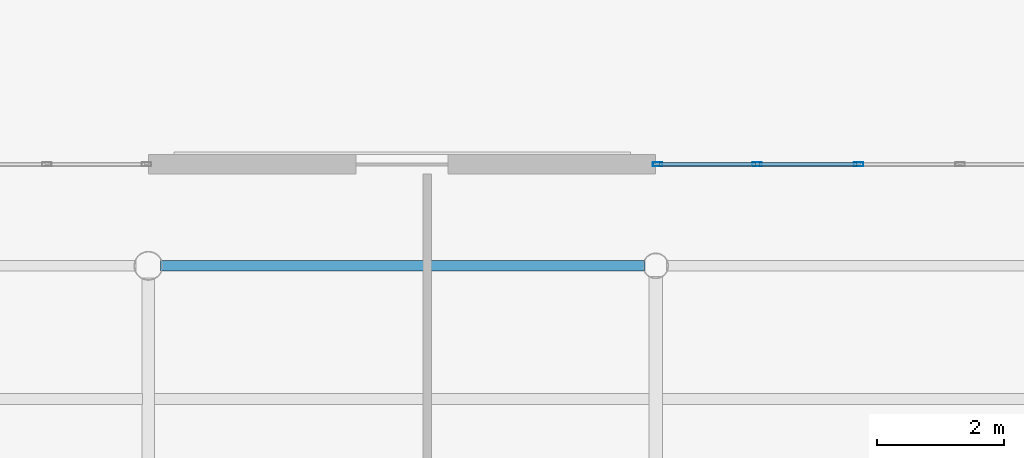
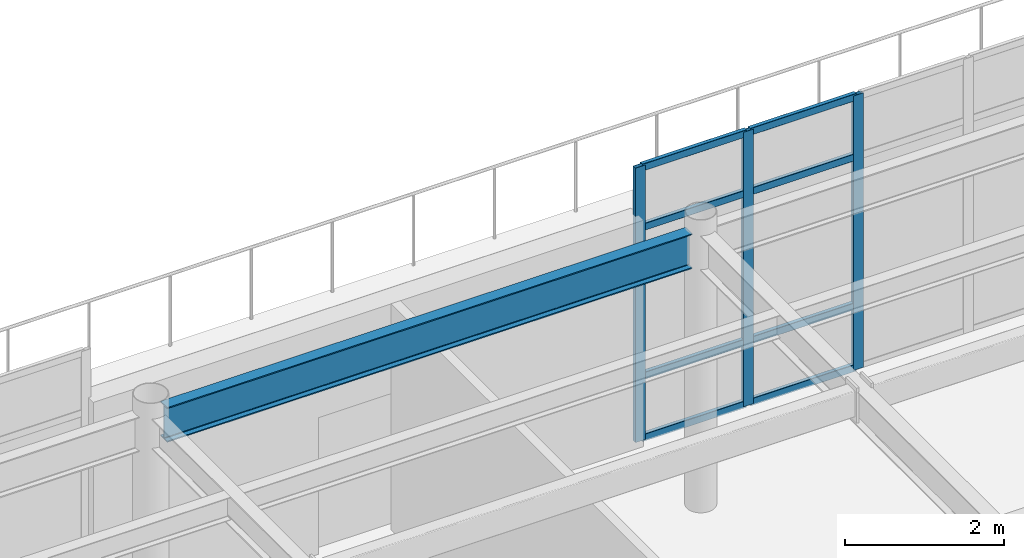
# One storey, part 27 of 93: 11 members, 1 beam, 1 element without a shape of its own.
"""IFC4 building model written with IfcOpenShell, lengths in metres."""

import ifcopenshell
import ifcopenshell.guid

model = None  # the IFC model being written
_history = None  # IfcOwnerHistory: only IFC2X3 demands one
_inside = {}  # id of a spatial element -> (the spatial element, [elements in it])
_under = {}  # id of a project, library or spatial element -> (it, [spatial elements below it])
_declared = {}  # id of a project -> (the project, [libraries it declares])
_typed = {}  # id of a type object -> (the type object, [elements of that type])
_made_of = {}  # id of a material, layer set ... -> (it, [elements and type objects made of it])


def new_model(schema):
    """Start an empty IFC model of exactly this schema.

    Asked for "IFC4X3", IfcOpenShell would pick the latest addendum, in which some entities
    have other attributes; the version numbers below select the first issue.
    IFC2X3 requires an IfcOwnerHistory on every rooted entity: one is made here for all.
    """
    global model, _history
    if schema == "IFC4X3":
        model = ifcopenshell.file(schema_version=(4, 3, 0, 0))
    else:
        model = ifcopenshell.file(schema=schema)
    _inside.clear()
    _under.clear()
    _declared.clear()
    _typed.clear()
    _made_of.clear()
    _history = None
    if model.schema == "IFC2X3":
        org = make("IfcOrganization", Name="unknown")
        user = make(
            "IfcPersonAndOrganization",
            ThePerson=make("IfcPerson", FamilyName="unknown"),
            TheOrganization=org,
        )
        app = make(
            "IfcApplication",
            ApplicationDeveloper=org,
            Version="unknown",
            ApplicationFullName="unknown",
            ApplicationIdentifier="unknown",
        )
        _history = make(
            "IfcOwnerHistory",
            OwningUser=user,
            OwningApplication=app,
            ChangeAction="ADDED",
            CreationDate=0,
        )
    return model


def make(cls, **values):
    """One entity of the class cls with the attributes given. An attribute that is None is left unset."""
    return model.create_entity(
        cls, **{name: value for name, value in values.items() if value is not None}
    )


def rooted(cls, **values):
    """An entity with a GlobalId (a new one), such as an element, a storey or a relation."""
    return make(cls, GlobalId=ifcopenshell.guid.new(), OwnerHistory=_history, **values)


def si_unit(unit_type, name, prefix=None):
    """IfcSIUnit, for example si_unit("LENGTHUNIT", "METRE", prefix="MILLI")."""
    return make("IfcSIUnit", UnitType=unit_type, Prefix=prefix, Name=name)


def assignment(units):
    """IfcUnitAssignment: the units of a project."""
    return None if units is None else make("IfcUnitAssignment", Units=units)


def point(xyz):
    """IfcCartesianPoint."""
    return None if xyz is None else make("IfcCartesianPoint", Coordinates=xyz)


def direction(xyz):
    """IfcDirection."""
    return None if xyz is None else make("IfcDirection", DirectionRatios=xyz)


def frame(location, z_axis=None, x_axis=None):
    """IfcAxis2Placement3D, a coordinate frame: its origin and axes. An axis left out is left unset."""
    return make(
        "IfcAxis2Placement3D",
        Location=point(location),
        Axis=direction(z_axis),
        RefDirection=direction(x_axis),
    )


def frame_2d(location, x_axis=None):
    """IfcAxis2Placement2D, a coordinate frame in the plane: its origin and x axis."""
    return make(
        "IfcAxis2Placement2D", Location=point(location), RefDirection=direction(x_axis)
    )


def origin():
    """The frame at (0, 0, 0) with its axes left unset."""
    return frame((0.0, 0.0, 0.0))


def origin_2d():
    """The frame at (0, 0) in the plane with its x axis left unset."""
    return frame_2d((0.0, 0.0))


def place(relative_to, where):
    """IfcLocalPlacement: puts the frame where relative to a parent placement (None: the world)."""
    return make(
        "IfcLocalPlacement", PlacementRelTo=relative_to, RelativePlacement=where
    )


def context(
    kind, dimensions, precision=None, world=None, true_north=None, identifier=None
):
    """IfcGeometricRepresentationContext, for example the 3D "Model" context."""
    return make(
        "IfcGeometricRepresentationContext",
        ContextIdentifier=identifier,
        ContextType=kind,
        CoordinateSpaceDimension=dimensions,
        Precision=precision,
        WorldCoordinateSystem=world,
        TrueNorth=true_north,
    )


def subcontext(parent, identifier, kind, view, scale=None):
    """IfcGeometricRepresentationSubContext, for example "Body" below "Model"."""
    return make(
        "IfcGeometricRepresentationSubContext",
        ContextIdentifier=identifier,
        ContextType=kind,
        ParentContext=parent,
        TargetScale=scale,
        TargetView=view,
    )


def project(units=None, contexts=None):
    """IfcProject with its units and contexts."""
    return rooted(
        "IfcProject",
        Name="project",
        RepresentationContexts=contexts,
        UnitsInContext=assignment(units),
    )


def spatial(cls, under=None, at=None, **own):
    """A site, building, storey or space (cls), placed at a placement, below another one or the project."""
    s = rooted(cls, ObjectPlacement=at, **own)
    if under is not None:
        _under.setdefault(under.id(), (under, []))[1].append(s)
    return s


def profile(cls, at=None, kind="AREA", **sizes):
    """A parametric profile (cls). Its sizes go by their IFC names, for example OverallWidth=200.0."""
    return make(cls, ProfileType=kind, Position=at, **sizes)


def hollow_rectangle(**sizes):
    """IfcRectangleHollowProfileDef."""
    return profile("IfcRectangleHollowProfileDef", **sizes)


def i_section(**sizes):
    """IfcIShapeProfileDef."""
    return profile("IfcIShapeProfileDef", **sizes)


def extrude(swept, where, along, depth):
    """IfcExtrudedAreaSolid: the profile swept, set in the frame where, extruded along a direction by depth."""
    return make(
        "IfcExtrudedAreaSolid",
        SweptArea=swept,
        Position=where,
        ExtrudedDirection=direction(along),
        Depth=depth,
    )


def shape(context_of_items, identifier, shape_type, items):
    """IfcShapeRepresentation: the items that make up one representation, for example the "Body"."""
    return make(
        "IfcShapeRepresentation",
        ContextOfItems=context_of_items,
        RepresentationIdentifier=identifier,
        RepresentationType=shape_type,
        Items=items,
    )


def material(Name=None, Category=None):
    """IfcMaterial."""
    return make("IfcMaterial", Name=Name, Category=Category)


def material_profile(
    of_material, cross_section, Name=None, Category=None, Priority=None
):
    """IfcMaterialProfile: a cross section and its material."""
    return make(
        "IfcMaterialProfile",
        Name=Name,
        Material=of_material,
        Profile=cross_section,
        Priority=Priority,
        Category=Category,
    )


def profile_set(profiles, Name=None, composite=None):
    """IfcMaterialProfileSet."""
    return make(
        "IfcMaterialProfileSet",
        Name=Name,
        MaterialProfiles=profiles,
        CompositeProfile=composite,
    )


def made_of(thing, what):
    """Note that an element or type object is made of a material, layer set ...; save() writes the relation."""
    if what is not None:
        _made_of.setdefault(what.id(), (what, []))[1].append(thing)
    return thing


def type_object(cls, material=None, **own):
    """A type object (cls), such as IfcWallType, which elements share."""
    return made_of(rooted(cls, **own), material)


def element(
    cls,
    number,
    at=None,
    inside=None,
    cuts=None,
    type_object=None,
    material=None,
    context=None,
    identifier="Body",
    shape_type=None,
    held_by="IfcProductDefinitionShape",
    body=None,
    shapes=None,
    **own,
):
    """One element of the class cls, such as IfcWall. Its Tag is "e" and its number.

    at: its placement. inside: the storey or other place that contains it. cuts: it is an
    opening in that element (IfcRelVoidsElement). A single representation is given by context,
    identifier, shape_type and body (its items); several are given by shapes. held_by: the class
    of the entity that holds the representations. save() writes the other relations.
    """
    e = rooted(cls, Tag="e%d" % number, ObjectPlacement=at, **own)
    if body is not None:
        shapes = [shape(context, identifier, shape_type, body)]
    if shapes is not None:
        e.Representation = make(held_by, Representations=shapes)
    if inside is not None:
        _inside.setdefault(inside.id(), (inside, []))[1].append(e)
    if cuts is not None:
        rooted(
            "IfcRelVoidsElement", RelatingBuildingElement=cuts, RelatedOpeningElement=e
        )
    if type_object is not None:
        _typed.setdefault(type_object.id(), (type_object, []))[1].append(e)
    return made_of(e, material)


def aggregate(whole, parts):
    """IfcRelAggregates: a whole, such as a stair, and the parts it consists of."""
    return rooted("IfcRelAggregates", RelatingObject=whole, RelatedObjects=parts)


def save(model, path):
    """Write the relations noted so far, then the file.

    IfcRelAggregates (storeys below a building ...), IfcRelContainedInSpatialStructure (elements
    in a storey), IfcRelDefinesByType, IfcRelAssociatesMaterial and IfcRelDeclares: one each for
    every whole, place, type object, material and project.
    """
    for whole, parts in _under.values():
        aggregate(whole, parts)
    for where, things in _inside.values():
        rooted(
            "IfcRelContainedInSpatialStructure",
            RelatedElements=things,
            RelatingStructure=where,
        )
    for kind, things in _typed.values():
        rooted("IfcRelDefinesByType", RelatedObjects=things, RelatingType=kind)
    for what, things in _made_of.values():
        rooted("IfcRelAssociatesMaterial", RelatedObjects=things, RelatingMaterial=what)
    for by, libraries in _declared.values():
        rooted("IfcRelDeclares", RelatingContext=by, RelatedDefinitions=libraries)
    model.write(path)


model = new_model("IFC4")

# Units and contexts
model_context = context("Model", 3, precision=1e-05, world=origin(), true_north=direction((0.0, 1.0)))
body_context = subcontext(model_context, "Body", "Model", "MODEL_VIEW")
ifc_project = project(units=[si_unit("LENGTHUNIT", "METRE"), si_unit("AREAUNIT", "SQUARE_METRE"), si_unit("VOLUMEUNIT", "CUBIC_METRE"), si_unit("PLANEANGLEUNIT", "RADIAN"), si_unit("MASSUNIT", "GRAM", prefix="KILO")], contexts=[model_context])

# Site, building, storey
site_placement = place(None, origin())
site = spatial("IfcSite", under=ifc_project, at=site_placement, CompositionType="ELEMENT")
building_placement = place(site_placement, origin())
building = spatial("IfcBuilding", under=site, at=building_placement, Name="Solmirada Galleria", CompositionType="ELEMENT")
storey_placement = place(building_placement, frame((0.0, 0.0, 14.89990234375)))
storey = spatial("IfcBuildingStorey", under=building, at=storey_placement, Name="L03", CompositionType="ELEMENT", Elevation=14.89990234375)

# Beam
ifc_material_1 = material(Name="Steel S355 / ASTM A992 Grade 50", Category="steel")
ifc_material_profile_1 = material_profile(ifc_material_1, i_section(OverallWidth=0.1669921875, OverallDepth=0.534912109375, WebThickness=0.01025390625, FlangeThickness=0.0166015625, FilletRadius=0.013916015625, at=origin_2d()), Name="W21X57")
ifc_profile_set_1 = profile_set([ifc_material_profile_1], Name="Steel S355 / ASTM A992 Grade 50")
beam_type = type_object("IfcBeamType", Name="BM-GIRD-W21C", PredefinedType="BEAM", material=ifc_profile_set_1)
beam_placement = place(storey_placement, frame((120.19189453125, 32.0, 3.99267578125), z_axis=(1.0, 0.0, 0.0), x_axis=(0.0, 1.0, 0.0)))
element("IfcBeam", 1, at=beam_placement, inside=storey, type_object=beam_type, Name="Primary beam L04 X(120..128, 32)", PredefinedType="BEAM", context=body_context, shape_type="SweptSolid", body=[
    extrude(i_section(OverallWidth=0.1669921875, OverallDepth=0.534912109375, WebThickness=0.01025390625, FlangeThickness=0.0166015625, FilletRadius=0.013916015625, at=origin_2d()), origin(), (0.0, 0.0, 1.0), 7.6376953125),
])

# Curtain wall, members
ifc_material_2 = material(Name="Impact-resistant low-E double glazing", Category="glass")
curtain_wall_type = type_object("IfcCurtainWallType", Name="CW-FZ5-L03-B5-L080", PredefinedType="NOTDEFINED", material=ifc_material_2)
curtain_wall_placement = place(storey_placement, origin())
curtain_wall = element("IfcCurtainWall", 2, at=curtain_wall_placement, inside=storey, type_object=curtain_wall_type, Name="Terrace and arcade storefront CW-L03-139", PredefinedType="NOTDEFINED")
ifc_material_3 = material(Name="Anodised aluminium framing", Category="aluminium")
ifc_material_profile_2 = material_profile(ifc_material_3, hollow_rectangle(XDim=0.06005859375, YDim=0.14990234375, WallThickness=0.00341796875, InnerFilletRadius=0.00341796875, OuterFilletRadius=0.007080078125, at=origin_2d()), Name="ALU-MULL-150X60")
ifc_profile_set_2 = profile_set([ifc_material_profile_2], Name="Anodised aluminium framing")
member_type_1 = type_object("IfcMemberType", Name="CW-MULL-150", PredefinedType="MULLION", material=ifc_profile_set_2)
member_1_placement = place(storey_placement, frame((128.030029296875, 33.60009765625, 0.0), z_axis=(0.0, 0.0, 1.0), x_axis=(0.0, 1.0, 0.0)))
member_1 = element("IfcMember", 3, at=member_1_placement, type_object=member_type_1, Name="CW29 mullion 1", PredefinedType="MULLION", context=body_context, shape_type="SweptSolid", body=[
    extrude(hollow_rectangle(XDim=0.06005859375, YDim=0.14990234375, WallThickness=0.00341796875, InnerFilletRadius=0.00341796875, OuterFilletRadius=0.007080078125, at=origin_2d()), origin(), (0.0, 0.0, 1.0), 4.22021484375),
])
member_2_placement = place(storey_placement, frame((129.60009765625, 33.60009765625, 0.0), z_axis=(0.0, 0.0, 1.0), x_axis=(0.0, 1.0, 0.0)))
member_2 = element("IfcMember", 4, at=member_2_placement, type_object=member_type_1, Name="CW29 mullion 2", PredefinedType="MULLION", context=body_context, shape_type="SweptSolid", body=[
    extrude(hollow_rectangle(XDim=0.06005859375, YDim=0.14990234375, WallThickness=0.00341796875, InnerFilletRadius=0.00341796875, OuterFilletRadius=0.007080078125, at=origin_2d()), origin(), (0.0, 0.0, 1.0), 4.22021484375),
])
member_3_placement = place(storey_placement, frame((131.199951171875, 33.60009765625, 0.0), z_axis=(0.0, 0.0, 1.0), x_axis=(0.0, 1.0, 0.0)))
member_3 = element("IfcMember", 5, at=member_3_placement, type_object=member_type_1, Name="CW29 mullion 3", PredefinedType="MULLION", context=body_context, shape_type="SweptSolid", body=[
    extrude(hollow_rectangle(XDim=0.06005859375, YDim=0.14990234375, WallThickness=0.00341796875, InnerFilletRadius=0.00341796875, OuterFilletRadius=0.007080078125, at=origin_2d()), origin(), (0.0, 0.0, 1.0), 4.22021484375),
])
ifc_material_profile_3 = material_profile(ifc_material_3, hollow_rectangle(XDim=0.06005859375, YDim=0.110107421875, WallThickness=0.003173828125, InnerFilletRadius=0.003173828125, OuterFilletRadius=0.00634765625, at=origin_2d()), Name="ALU-TRAN-110X60")
ifc_profile_set_3 = profile_set([ifc_material_profile_3], Name="Anodised aluminium framing")
member_type_2 = type_object("IfcMemberType", Name="CW-TRAN-110", PredefinedType="USERDEFINED", material=ifc_profile_set_3)
member_4_placement = place(storey_placement, frame((128.06005859375, 33.60009765625, 0.030029296875), z_axis=(1.0, 0.0, 0.0), x_axis=(0.0, 1.0, 0.0)))
member_4 = element("IfcMember", 6, at=member_4_placement, type_object=member_type_2, Name="CW29 transom 1.1", ObjectType="TRANSOM", PredefinedType="USERDEFINED", context=body_context, shape_type="SweptSolid", body=[
    extrude(hollow_rectangle(XDim=0.06005859375, YDim=0.110107421875, WallThickness=0.003173828125, InnerFilletRadius=0.003173828125, OuterFilletRadius=0.00634765625, at=origin_2d()), origin(), (0.0, 0.0, 1.0), 1.510009765625),
])
member_5_placement = place(storey_placement, frame((128.06005859375, 33.60009765625, 0.97998046875), z_axis=(1.0, 0.0, 0.0), x_axis=(0.0, 1.0, 0.0)))
member_5 = element("IfcMember", 7, at=member_5_placement, type_object=member_type_2, Name="CW29 transom 1.2", ObjectType="TRANSOM", PredefinedType="USERDEFINED", context=body_context, shape_type="SweptSolid", body=[
    extrude(hollow_rectangle(XDim=0.06005859375, YDim=0.110107421875, WallThickness=0.003173828125, InnerFilletRadius=0.003173828125, OuterFilletRadius=0.00634765625, at=origin_2d()), origin(), (0.0, 0.0, 1.0), 1.510009765625),
])
member_6_placement = place(storey_placement, frame((128.06005859375, 33.60009765625, 3.27001953125), z_axis=(1.0, 0.0, 0.0), x_axis=(0.0, 1.0, 0.0)))
member_6 = element("IfcMember", 8, at=member_6_placement, type_object=member_type_2, Name="CW29 transom 1.3", ObjectType="TRANSOM", PredefinedType="USERDEFINED", context=body_context, shape_type="SweptSolid", body=[
    extrude(hollow_rectangle(XDim=0.06005859375, YDim=0.110107421875, WallThickness=0.003173828125, InnerFilletRadius=0.003173828125, OuterFilletRadius=0.00634765625, at=origin_2d()), origin(), (0.0, 0.0, 1.0), 1.510009765625),
])
member_7_placement = place(storey_placement, frame((128.06005859375, 33.60009765625, 4.190185546875), z_axis=(1.0, 0.0, 0.0), x_axis=(0.0, 1.0, 0.0)))
member_7 = element("IfcMember", 9, at=member_7_placement, type_object=member_type_2, Name="CW29 transom 1.4", ObjectType="TRANSOM", PredefinedType="USERDEFINED", context=body_context, shape_type="SweptSolid", body=[
    extrude(hollow_rectangle(XDim=0.06005859375, YDim=0.110107421875, WallThickness=0.003173828125, InnerFilletRadius=0.003173828125, OuterFilletRadius=0.00634765625, at=origin_2d()), origin(), (0.0, 0.0, 1.0), 1.510009765625),
])
member_8_placement = place(storey_placement, frame((129.6298828125, 33.60009765625, 0.030029296875), z_axis=(1.0, 0.0, 0.0), x_axis=(0.0, 1.0, 0.0)))
member_8 = element("IfcMember", 10, at=member_8_placement, type_object=member_type_2, Name="CW29 transom 2.1", ObjectType="TRANSOM", PredefinedType="USERDEFINED", context=body_context, shape_type="SweptSolid", body=[
    extrude(hollow_rectangle(XDim=0.06005859375, YDim=0.110107421875, WallThickness=0.003173828125, InnerFilletRadius=0.003173828125, OuterFilletRadius=0.00634765625, at=origin_2d()), origin(), (0.0, 0.0, 1.0), 1.5400390625),
])
member_9_placement = place(storey_placement, frame((129.6298828125, 33.60009765625, 0.97998046875), z_axis=(1.0, 0.0, 0.0), x_axis=(0.0, 1.0, 0.0)))
member_9 = element("IfcMember", 11, at=member_9_placement, type_object=member_type_2, Name="CW29 transom 2.2", ObjectType="TRANSOM", PredefinedType="USERDEFINED", context=body_context, shape_type="SweptSolid", body=[
    extrude(hollow_rectangle(XDim=0.06005859375, YDim=0.110107421875, WallThickness=0.003173828125, InnerFilletRadius=0.003173828125, OuterFilletRadius=0.00634765625, at=origin_2d()), origin(), (0.0, 0.0, 1.0), 1.5400390625),
])
member_10_placement = place(storey_placement, frame((129.6298828125, 33.60009765625, 3.27001953125), z_axis=(1.0, 0.0, 0.0), x_axis=(0.0, 1.0, 0.0)))
member_10 = element("IfcMember", 12, at=member_10_placement, type_object=member_type_2, Name="CW29 transom 2.3", ObjectType="TRANSOM", PredefinedType="USERDEFINED", context=body_context, shape_type="SweptSolid", body=[
    extrude(hollow_rectangle(XDim=0.06005859375, YDim=0.110107421875, WallThickness=0.003173828125, InnerFilletRadius=0.003173828125, OuterFilletRadius=0.00634765625, at=origin_2d()), origin(), (0.0, 0.0, 1.0), 1.5400390625),
])
member_11_placement = place(storey_placement, frame((129.6298828125, 33.60009765625, 4.190185546875), z_axis=(1.0, 0.0, 0.0), x_axis=(0.0, 1.0, 0.0)))
member_11 = element("IfcMember", 13, at=member_11_placement, type_object=member_type_2, Name="CW29 transom 2.4", ObjectType="TRANSOM", PredefinedType="USERDEFINED", context=body_context, shape_type="SweptSolid", body=[
    extrude(hollow_rectangle(XDim=0.06005859375, YDim=0.110107421875, WallThickness=0.003173828125, InnerFilletRadius=0.003173828125, OuterFilletRadius=0.00634765625, at=origin_2d()), origin(), (0.0, 0.0, 1.0), 1.5400390625),
])
aggregate(curtain_wall, [member_1, member_2, member_3, member_4, member_5, member_6, member_7, member_8, member_9, member_10, member_11])

save(model, "model.ifc")
